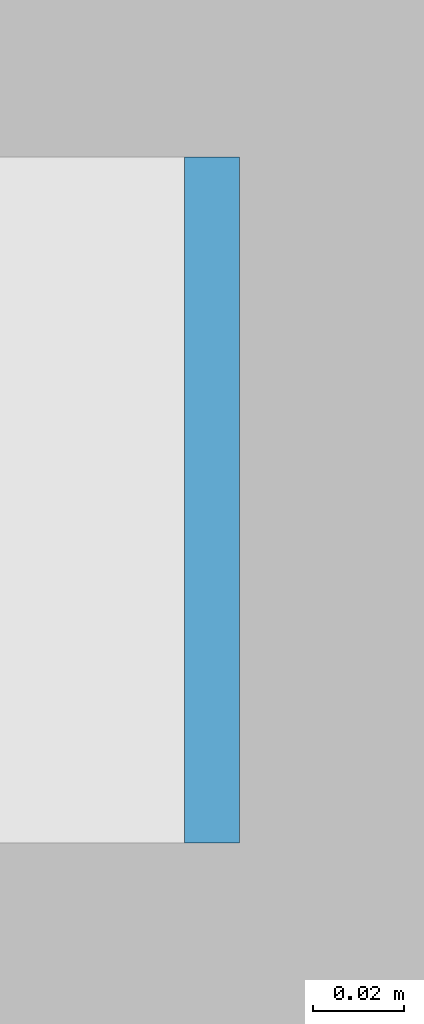
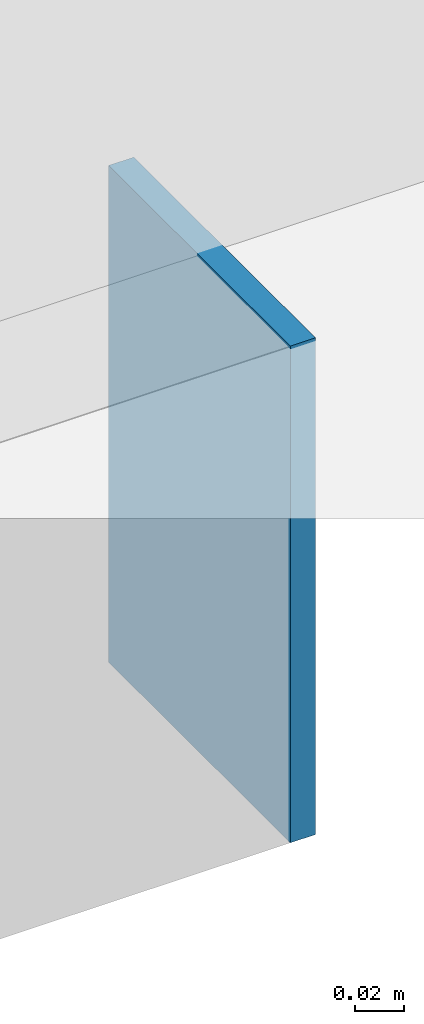
# One storey, part 78 of 96: 1 discrete accessory.
"""IFC4 building model written with IfcOpenShell, lengths in metres."""

import ifcopenshell
import ifcopenshell.guid

model = None  # the IFC model being written
_history = None  # IfcOwnerHistory: only IFC2X3 demands one
_inside = {}  # id of a spatial element -> (the spatial element, [elements in it])
_under = {}  # id of a project, library or spatial element -> (it, [spatial elements below it])
_declared = {}  # id of a project -> (the project, [libraries it declares])
_typed = {}  # id of a type object -> (the type object, [elements of that type])
_made_of = {}  # id of a material, layer set ... -> (it, [elements and type objects made of it])


def new_model(schema):
    """Start an empty IFC model of exactly this schema.

    Asked for "IFC4X3", IfcOpenShell would pick the latest addendum, in which some entities
    have other attributes; the version numbers below select the first issue.
    IFC2X3 requires an IfcOwnerHistory on every rooted entity: one is made here for all.
    """
    global model, _history
    if schema == "IFC4X3":
        model = ifcopenshell.file(schema_version=(4, 3, 0, 0))
    else:
        model = ifcopenshell.file(schema=schema)
    _inside.clear()
    _under.clear()
    _declared.clear()
    _typed.clear()
    _made_of.clear()
    _history = None
    if model.schema == "IFC2X3":
        org = make("IfcOrganization", Name="unknown")
        user = make(
            "IfcPersonAndOrganization",
            ThePerson=make("IfcPerson", FamilyName="unknown"),
            TheOrganization=org,
        )
        app = make(
            "IfcApplication",
            ApplicationDeveloper=org,
            Version="unknown",
            ApplicationFullName="unknown",
            ApplicationIdentifier="unknown",
        )
        _history = make(
            "IfcOwnerHistory",
            OwningUser=user,
            OwningApplication=app,
            ChangeAction="ADDED",
            CreationDate=0,
        )
    return model


def make(cls, **values):
    """One entity of the class cls with the attributes given. An attribute that is None is left unset."""
    return model.create_entity(
        cls, **{name: value for name, value in values.items() if value is not None}
    )


def rooted(cls, **values):
    """An entity with a GlobalId (a new one), such as an element, a storey or a relation."""
    return make(cls, GlobalId=ifcopenshell.guid.new(), OwnerHistory=_history, **values)


def si_unit(unit_type, name, prefix=None):
    """IfcSIUnit, for example si_unit("LENGTHUNIT", "METRE", prefix="MILLI")."""
    return make("IfcSIUnit", UnitType=unit_type, Prefix=prefix, Name=name)


def assignment(units):
    """IfcUnitAssignment: the units of a project."""
    return None if units is None else make("IfcUnitAssignment", Units=units)


def point(xyz):
    """IfcCartesianPoint."""
    return None if xyz is None else make("IfcCartesianPoint", Coordinates=xyz)


def direction(xyz):
    """IfcDirection."""
    return None if xyz is None else make("IfcDirection", DirectionRatios=xyz)


def frame(location, z_axis=None, x_axis=None):
    """IfcAxis2Placement3D, a coordinate frame: its origin and axes. An axis left out is left unset."""
    return make(
        "IfcAxis2Placement3D",
        Location=point(location),
        Axis=direction(z_axis),
        RefDirection=direction(x_axis),
    )


def origin():
    """The frame at (0, 0, 0) with its axes left unset."""
    return frame((0.0, 0.0, 0.0))


def place(relative_to, where):
    """IfcLocalPlacement: puts the frame where relative to a parent placement (None: the world)."""
    return make(
        "IfcLocalPlacement", PlacementRelTo=relative_to, RelativePlacement=where
    )


def context(
    kind, dimensions, precision=None, world=None, true_north=None, identifier=None
):
    """IfcGeometricRepresentationContext, for example the 3D "Model" context."""
    return make(
        "IfcGeometricRepresentationContext",
        ContextIdentifier=identifier,
        ContextType=kind,
        CoordinateSpaceDimension=dimensions,
        Precision=precision,
        WorldCoordinateSystem=world,
        TrueNorth=true_north,
    )


def subcontext(parent, identifier, kind, view, scale=None):
    """IfcGeometricRepresentationSubContext, for example "Body" below "Model"."""
    return make(
        "IfcGeometricRepresentationSubContext",
        ContextIdentifier=identifier,
        ContextType=kind,
        ParentContext=parent,
        TargetScale=scale,
        TargetView=view,
    )


def project(units=None, contexts=None):
    """IfcProject with its units and contexts."""
    return rooted(
        "IfcProject",
        Name="project",
        RepresentationContexts=contexts,
        UnitsInContext=assignment(units),
    )


def spatial(cls, under=None, at=None, **own):
    """A site, building, storey or space (cls), placed at a placement, below another one or the project."""
    s = rooted(cls, ObjectPlacement=at, **own)
    if under is not None:
        _under.setdefault(under.id(), (under, []))[1].append(s)
    return s


def polyline(points):
    """IfcPolyline through the points."""
    return make("IfcPolyline", Points=[point(p) for p in points])


def outline(outer, holes=None, kind="AREA"):
    """IfcArbitraryClosedProfileDef: a profile drawn as a closed curve; with holes, ...WithVoids."""
    if holes is None:
        return make("IfcArbitraryClosedProfileDef", ProfileType=kind, OuterCurve=outer)
    return make(
        "IfcArbitraryProfileDefWithVoids",
        ProfileType=kind,
        OuterCurve=outer,
        InnerCurves=holes,
    )


def extrude(swept, where, along, depth):
    """IfcExtrudedAreaSolid: the profile swept, set in the frame where, extruded along a direction by depth."""
    return make(
        "IfcExtrudedAreaSolid",
        SweptArea=swept,
        Position=where,
        ExtrudedDirection=direction(along),
        Depth=depth,
    )


def shape(context_of_items, identifier, shape_type, items):
    """IfcShapeRepresentation: the items that make up one representation, for example the "Body"."""
    return make(
        "IfcShapeRepresentation",
        ContextOfItems=context_of_items,
        RepresentationIdentifier=identifier,
        RepresentationType=shape_type,
        Items=items,
    )


def material(Name=None, Category=None):
    """IfcMaterial."""
    return make("IfcMaterial", Name=Name, Category=Category)


def layer(
    of_material, thickness, ventilated=None, Name=None, Category=None, Priority=None
):
    """IfcMaterialLayer: one layer of a wall or slab, of a material (None: an air gap)."""
    return make(
        "IfcMaterialLayer",
        Material=of_material,
        LayerThickness=thickness,
        IsVentilated=ventilated,
        Name=Name,
        Category=Category,
        Priority=Priority,
    )


def layer_set(layers, Name=None):
    """IfcMaterialLayerSet."""
    return make("IfcMaterialLayerSet", MaterialLayers=layers, LayerSetName=Name)


def made_of(thing, what):
    """Note that an element or type object is made of a material, layer set ...; save() writes the relation."""
    if what is not None:
        _made_of.setdefault(what.id(), (what, []))[1].append(thing)
    return thing


def type_object(cls, material=None, **own):
    """A type object (cls), such as IfcWallType, which elements share."""
    return made_of(rooted(cls, **own), material)


def element(
    cls,
    number,
    at=None,
    inside=None,
    cuts=None,
    type_object=None,
    material=None,
    context=None,
    identifier="Body",
    shape_type=None,
    held_by="IfcProductDefinitionShape",
    body=None,
    shapes=None,
    **own,
):
    """One element of the class cls, such as IfcWall. Its Tag is "e" and its number.

    at: its placement. inside: the storey or other place that contains it. cuts: it is an
    opening in that element (IfcRelVoidsElement). A single representation is given by context,
    identifier, shape_type and body (its items); several are given by shapes. held_by: the class
    of the entity that holds the representations. save() writes the other relations.
    """
    e = rooted(cls, Tag="e%d" % number, ObjectPlacement=at, **own)
    if body is not None:
        shapes = [shape(context, identifier, shape_type, body)]
    if shapes is not None:
        e.Representation = make(held_by, Representations=shapes)
    if inside is not None:
        _inside.setdefault(inside.id(), (inside, []))[1].append(e)
    if cuts is not None:
        rooted(
            "IfcRelVoidsElement", RelatingBuildingElement=cuts, RelatedOpeningElement=e
        )
    if type_object is not None:
        _typed.setdefault(type_object.id(), (type_object, []))[1].append(e)
    return made_of(e, material)


def aggregate(whole, parts):
    """IfcRelAggregates: a whole, such as a stair, and the parts it consists of."""
    return rooted("IfcRelAggregates", RelatingObject=whole, RelatedObjects=parts)


def save(model, path):
    """Write the relations noted so far, then the file.

    IfcRelAggregates (storeys below a building ...), IfcRelContainedInSpatialStructure (elements
    in a storey), IfcRelDefinesByType, IfcRelAssociatesMaterial and IfcRelDeclares: one each for
    every whole, place, type object, material and project.
    """
    for whole, parts in _under.values():
        aggregate(whole, parts)
    for where, things in _inside.values():
        rooted(
            "IfcRelContainedInSpatialStructure",
            RelatedElements=things,
            RelatingStructure=where,
        )
    for kind, things in _typed.values():
        rooted("IfcRelDefinesByType", RelatedObjects=things, RelatingType=kind)
    for what, things in _made_of.values():
        rooted("IfcRelAssociatesMaterial", RelatedObjects=things, RelatingMaterial=what)
    for by, libraries in _declared.values():
        rooted("IfcRelDeclares", RelatingContext=by, RelatedDefinitions=libraries)
    model.write(path)


model = new_model("IFC4")

# Units and contexts
model_context = context("Model", 3, precision=1e-05, world=origin(), true_north=direction((0.0, 1.0)))
body_context = subcontext(model_context, "Body", "Model", "MODEL_VIEW")
ifc_project = project(units=[si_unit("LENGTHUNIT", "METRE"), si_unit("AREAUNIT", "SQUARE_METRE"), si_unit("VOLUMEUNIT", "CUBIC_METRE"), si_unit("PLANEANGLEUNIT", "RADIAN"), si_unit("MASSUNIT", "GRAM", prefix="KILO")], contexts=[model_context])

# Site, building, storey
site_placement = place(None, origin())
site = spatial("IfcSite", under=ifc_project, at=site_placement, CompositionType="ELEMENT")
building_placement = place(site_placement, origin())
building = spatial("IfcBuilding", under=site, at=building_placement, Name="Kisiwana Market Hall", CompositionType="ELEMENT")
storey_placement = place(building_placement, frame((0.0, 0.0, 25.5)))
storey = spatial("IfcBuildingStorey", under=building, at=storey_placement, Name="L05", CompositionType="ELEMENT", Elevation=25.5)

# Discrete accessory
ifc_material = material(Name="Steel S355", Category="steel")
ifc_layer = layer(ifc_material, 0.011962890625)
ifc_layer_set = layer_set([ifc_layer], Name="ACC-ENDCAP-STL")
discrete_accessory_type = type_object("IfcDiscreteAccessoryType", Name="ACC-ENDCAP-STL", PredefinedType="USERDEFINED", material=ifc_layer_set)
discrete_accessory_placement = place(storey_placement, frame((0.0, 0.0, -0.56494140625)))
element("IfcDiscreteAccessory", 1, at=discrete_accessory_placement, inside=storey, type_object=discrete_accessory_type, Name="End cap plate EC-0080", ObjectType="End cap plate", PredefinedType="USERDEFINED", context=body_context, shape_type="SweptSolid", body=[
    extrude(outline(polyline([(170.806640625, 110.925048828125), (170.818603515625, 110.925048828125), (170.818603515625, 111.074951171875), (170.806640625, 111.074951171875), (170.806640625, 110.925048828125)])), origin(), (0.0, 0.0, 1.0), 0.25),
])

save(model, "model.ifc")
